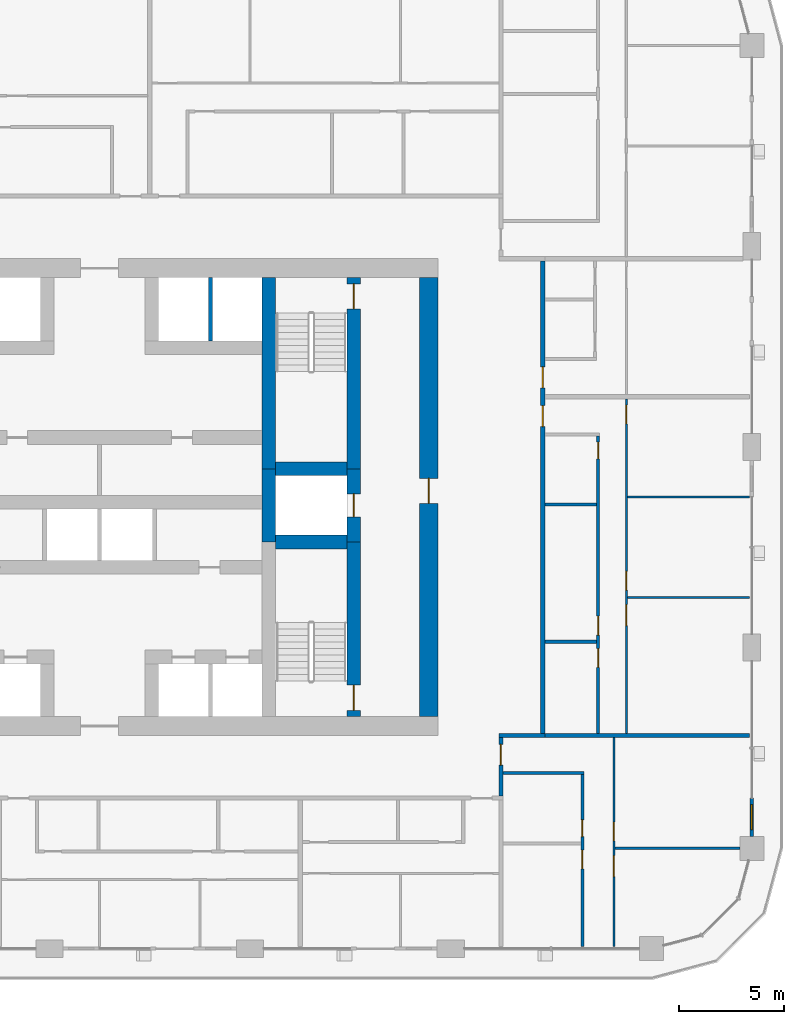
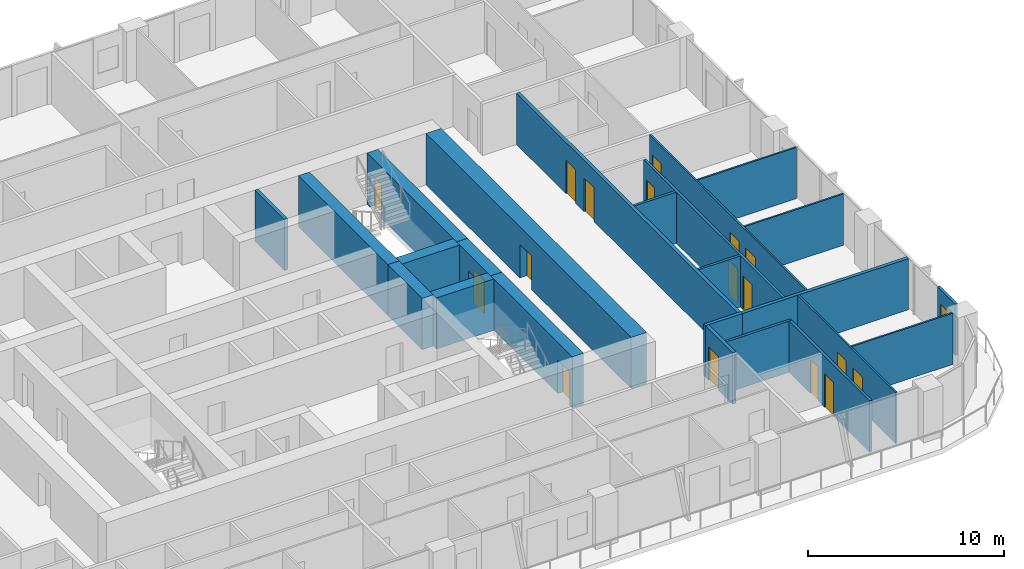
# One storey, part 12 of 21: 24 walls, 17 doors, 1 window, 18 openings.
"""IFC4 building model written with IfcOpenShell, lengths in metres."""

from ifc_helpers import new_model, si_unit, direction, frame, frame_2d, origin, place, context, subcontext, project, spatial, rectangle, extrude, material, layer, layer_set, type_object, element, fill, save


model = new_model("IFC4")

# Units and contexts
model_context = context("Model", 3, precision=1e-05, world=origin(), true_north=direction((0.0, 1.0)))
body_context = subcontext(model_context, "Body", "Model", "MODEL_VIEW")
ifc_project = project(units=[si_unit("LENGTHUNIT", "METRE"), si_unit("AREAUNIT", "SQUARE_METRE"), si_unit("VOLUMEUNIT", "CUBIC_METRE"), si_unit("PLANEANGLEUNIT", "RADIAN"), si_unit("MASSUNIT", "GRAM", prefix="KILO")], contexts=[model_context])

# Site, building, storey
site_placement = place(None, origin())
site = spatial("IfcSite", under=ifc_project, at=site_placement, CompositionType="ELEMENT")
building_placement = place(site_placement, origin())
building = spatial("IfcBuilding", under=site, at=building_placement, Name="Madar Terraces", CompositionType="ELEMENT")
storey_placement = place(building_placement, frame((0.0, 0.0, 106.699951171875)))
storey = spatial("IfcBuildingStorey", under=building, at=storey_placement, Name="L27", CompositionType="ELEMENT", Elevation=106.699951171875)

# Walls
ifc_material_1 = material(Name="Concrete C80/95", Category="concrete")
ifc_layer_1 = layer(ifc_material_1, 0.64990234375)
ifc_layer_set_1 = layer_set([ifc_layer_1], Name="Concrete C80/95 (CIW2 RC wall 650)")
wall_type_1 = type_object("IfcWallType", Name="CIW2 RC wall 650", PredefinedType="SHEAR", material=ifc_layer_set_1)
wall_1_placement = place(storey_placement, frame((39.300048828125, 24.25, 0.0), z_axis=(0.0, 0.0, 1.0), x_axis=(0.0, 1.0, 0.0)))
element("IfcWall", 1, at=wall_1_placement, inside=storey, type_object=wall_type_1, Name="CORE SHAFT WALL", PredefinedType="SHEAR", context=body_context, shape_type="SweptSolid", body=[
    extrude(rectangle(XDim=3.5, YDim=0.64990234375, at=frame_2d((1.75, 0.0))), origin(), (0.0, 0.0, 1.0), 3.199951171875),
])
wall_2_placement = place(storey_placement, frame((39.300048828125, 27.75, 0.0), z_axis=(0.0, 0.0, 1.0), x_axis=(0.0, 1.0, 0.0)))
element("IfcWall", 2, at=wall_2_placement, inside=storey, type_object=wall_type_1, Name="CORE SHAFT WALL", PredefinedType="SHEAR", context=body_context, shape_type="SweptSolid", body=[
    extrude(rectangle(XDim=9.14990234375, YDim=0.64990234375, at=frame_2d((4.574951171875, 0.0))), origin(), (0.0, 0.0, 1.0), 3.199951171875),
])

# Wall, opening, door
wall_3_placement = place(storey_placement, frame((43.35009765625, 15.89990234375, 0.0), z_axis=(0.0, 0.0, 1.0), x_axis=(0.0, 1.0, 0.0)))
wall_3 = element("IfcWall", 3, at=wall_3_placement, inside=storey, type_object=wall_type_1, Name="CORE SHAFT WALL", PredefinedType="SHEAR", context=body_context, shape_type="SweptSolid", body=[
    extrude(rectangle(XDim=8.35009765625, YDim=0.64990234375, at=frame_2d((4.175048828125, 0.0))), origin(), (0.0, 0.0, 1.0), 3.199951171875),
])
opening_1_placement = place(wall_3_placement, frame((0.300048828125, 0.0, 0.0)))
opening_1 = element("IfcOpeningElement", 4, at=opening_1_placement, cuts=wall_3, Name="Opening SD1", PredefinedType="OPENING", context=body_context, shape_type="SweptSolid", body=[
    extrude(rectangle(XDim=1.199951171875, YDim=2.10009765625, at=frame_2d((0.60009765625, 1.050048828125))), frame((0.0, 0.3349609375, 0.0), z_axis=(0.0, -1.0, 0.0), x_axis=(1.0, 0.0, 0.0)), (0.0, 0.0, 1.0), 0.669921875),
])
ifc_material_2 = material(Name="Steel door leaf", Category="steel")
door_type_1 = type_object("IfcDoorType", Name="Stair door 1200 x 2100", OperationType="NOTDEFINED", PredefinedType="DOOR", material=ifc_material_2)
door_1_placement = place(opening_1_placement, origin())
door_1 = element("IfcDoor", 5, at=door_1_placement, inside=storey, type_object=door_type_1, Name="STAIR DOOR", OperationType="SINGLE_SWING_RIGHT", OverallHeight=2.10009765625, OverallWidth=1.199951171875, PredefinedType="DOOR", context=body_context, shape_type="SweptSolid", body=[
    extrude(rectangle(XDim=1.199951171875, YDim=2.10009765625, at=frame_2d((0.60009765625, 1.050048828125))), frame((0.0, 0.02490234375, 0.0), z_axis=(0.0, -1.0, 0.0), x_axis=(1.0, 0.0, 0.0)), (0.0, 0.0, 1.0), 0.050048828125),
])
fill(opening_1, door_1)

wall_4_placement = place(storey_placement, frame((43.35009765625, 24.25, 0.0), z_axis=(0.0, 0.0, 1.0), x_axis=(0.0, 1.0, 0.0)))
wall_4 = element("IfcWall", 6, at=wall_4_placement, inside=storey, type_object=wall_type_1, Name="CORE SHAFT WALL", PredefinedType="SHEAR", context=body_context, shape_type="SweptSolid", body=[
    extrude(rectangle(XDim=3.5, YDim=0.64990234375, at=frame_2d((1.75, 0.0))), origin(), (0.0, 0.0, 1.0), 3.199951171875),
])
opening_2_placement = place(wall_4_placement, frame((1.199951171875, 0.0, 0.0)))
opening_2 = element("IfcOpeningElement", 7, at=opening_2_placement, cuts=wall_4, Name="Opening LD", PredefinedType="OPENING", context=body_context, shape_type="SweptSolid", body=[
    extrude(rectangle(XDim=1.10009765625, YDim=2.10009765625, at=frame_2d((0.550048828125, 1.050048828125))), frame((0.0, 0.3349609375, 0.0), z_axis=(0.0, -1.0, 0.0), x_axis=(1.0, 0.0, 0.0)), (0.0, 0.0, 1.0), 0.669921875),
])
ifc_material_3 = material(Name="Stainless steel panel", Category="steel")
door_type_2 = type_object("IfcDoorType", Name="Lift landing door 1100 x 2100", OperationType="DOUBLE_DOOR_SLIDING", PredefinedType="DOOR", material=ifc_material_3)
door_2_placement = place(opening_2_placement, origin())
door_2 = element("IfcDoor", 8, at=door_2_placement, inside=storey, type_object=door_type_2, Name="LIFT LANDING DOOR", OperationType="DOUBLE_DOOR_SLIDING", OverallHeight=2.10009765625, OverallWidth=1.10009765625, PredefinedType="DOOR", context=body_context, shape_type="SweptSolid", body=[
    extrude(rectangle(XDim=1.10009765625, YDim=2.10009765625, at=frame_2d((0.550048828125, 1.050048828125))), frame((0.0, 0.02490234375, 0.0), z_axis=(0.0, -1.0, 0.0), x_axis=(1.0, 0.0, 0.0)), (0.0, 0.0, 1.0), 0.050048828125),
])
fill(opening_2, door_2)

wall_5_placement = place(storey_placement, frame((43.35009765625, 27.75, 0.0), z_axis=(0.0, 0.0, 1.0), x_axis=(0.0, 1.0, 0.0)))
wall_5 = element("IfcWall", 9, at=wall_5_placement, inside=storey, type_object=wall_type_1, Name="CORE SHAFT WALL", PredefinedType="SHEAR", context=body_context, shape_type="SweptSolid", body=[
    extrude(rectangle(XDim=9.14990234375, YDim=0.64990234375, at=frame_2d((4.574951171875, 0.0))), origin(), (0.0, 0.0, 1.0), 3.199951171875),
])
opening_3_placement = place(wall_5_placement, frame((7.64990234375, 0.0, 0.0)))
opening_3 = element("IfcOpeningElement", 10, at=opening_3_placement, cuts=wall_5, Name="Opening SD1", PredefinedType="OPENING", context=body_context, shape_type="SweptSolid", body=[
    extrude(rectangle(XDim=1.199951171875, YDim=2.10009765625, at=frame_2d((0.60009765625, 1.050048828125))), frame((0.0, 0.3349609375, 0.0), z_axis=(0.0, -1.0, 0.0), x_axis=(1.0, 0.0, 0.0)), (0.0, 0.0, 1.0), 0.669921875),
])
door_3_placement = place(opening_3_placement, origin())
door_3 = element("IfcDoor", 11, at=door_3_placement, inside=storey, type_object=door_type_1, Name="STAIR DOOR", OperationType="SINGLE_SWING_LEFT", OverallHeight=2.10009765625, OverallWidth=1.199951171875, PredefinedType="DOOR", context=body_context, shape_type="SweptSolid", body=[
    extrude(rectangle(XDim=1.199951171875, YDim=2.10009765625, at=frame_2d((0.60009765625, 1.050048828125))), frame((0.0, 0.02490234375, 0.0), z_axis=(0.0, -1.0, 0.0), x_axis=(1.0, 0.0, 0.0)), (0.0, 0.0, 1.0), 0.050048828125),
])
fill(opening_3, door_3)

# Walls
for number, where, z_axis, x_axis, name in (
    (12, (39.625, 24.25, 0.0), (0.0, 0.0, 1.0), (1.0, 0.0, 0.0), "CORE SHAFT WALL"),
    (13, (39.625, 27.75, 0.0), (0.0, 0.0, 1.0), (1.0, 0.0, 0.0), "CORE SHAFT WALL"),
):
    element("IfcWall", number, at=place(storey_placement, frame(where, z_axis=z_axis, x_axis=x_axis)), inside=storey, type_object=wall_type_1, Name=name, PredefinedType="SHEAR", context=body_context, shape_type="SweptSolid", body=[
        extrude(rectangle(XDim=3.39990234375, YDim=0.64990234375, at=frame_2d((1.699951171875, 0.0))), origin(), (0.0, 0.0, 1.0), 3.199951171875),
    ])

# Wall, opening, door
ifc_material_4 = material(Name="Concrete C80/95", Category="concrete")
ifc_layer_2 = layer(ifc_material_4, 0.89990234375)
ifc_layer_set_2 = layer_set([ifc_layer_2], Name="Concrete C80/95 (CRW2 RC wall 900)")
wall_type_2 = type_object("IfcWallType", Name="CRW2 RC wall 900", PredefinedType="SHEAR", material=ifc_layer_set_2)
wall_6_placement = place(storey_placement, frame((46.949951171875, 15.89990234375, 0.0), z_axis=(0.0, 0.0, 1.0), x_axis=(0.0, 1.0, 0.0)))
wall_6 = element("IfcWall", 14, at=wall_6_placement, inside=storey, type_object=wall_type_2, Name="CORE OUTER WALL", PredefinedType="SHEAR", context=body_context, shape_type="SweptSolid", body=[
    extrude(rectangle(XDim=21.0, YDim=0.89990234375, at=frame_2d((10.5, 0.0))), origin(), (0.0, 0.0, 1.0), 3.199951171875),
])
opening_4_placement = place(wall_6_placement, frame((10.199951171875, 0.0, 0.0)))
opening_4 = element("IfcOpeningElement", 15, at=opening_4_placement, cuts=wall_6, Name="Opening SD1", PredefinedType="OPENING", context=body_context, shape_type="SweptSolid", body=[
    extrude(rectangle(XDim=1.199951171875, YDim=2.10009765625, at=frame_2d((0.60009765625, 1.050048828125))), frame((0.0, 0.4599609375, 0.0), z_axis=(0.0, -1.0, 0.0), x_axis=(1.0, 0.0, 0.0)), (0.0, 0.0, 1.0), 0.919921875),
])
door_4_placement = place(opening_4_placement, origin())
door_4 = element("IfcDoor", 16, at=door_4_placement, inside=storey, type_object=door_type_1, Name="STAIR DOOR", OperationType="SINGLE_SWING_LEFT", OverallHeight=2.10009765625, OverallWidth=1.199951171875, PredefinedType="DOOR", context=body_context, shape_type="SweptSolid", body=[
    extrude(rectangle(XDim=1.199951171875, YDim=2.10009765625, at=frame_2d((0.60009765625, 1.050048828125))), frame((0.0, 0.02490234375, 0.0), z_axis=(0.0, -1.0, 0.0), x_axis=(1.0, 0.0, 0.0)), (0.0, 0.0, 1.0), 0.050048828125),
])
fill(opening_4, door_4)

# Wall
ifc_material_5 = material(Name="Concrete C40/50", Category="concrete")
ifc_layer_3 = layer(ifc_material_5, 0.199951171875)
ifc_layer_set_3 = layer_set([ifc_layer_3], Name="Core shaft dividing wall 200 C40/50")
wall_type_3 = type_object("IfcWallType", Name="Core shaft dividing wall 200 C40/50", PredefinedType="SOLIDWALL", material=ifc_layer_set_3)
wall_7_placement = place(storey_placement, frame((36.5, 33.875, 0.0), z_axis=(0.0, 0.0, 1.0), x_axis=(0.0, 1.0, 0.0)))
element("IfcWall", 17, at=wall_7_placement, inside=storey, type_object=wall_type_3, Name="SHAFT DIVIDING WALL", PredefinedType="SOLIDWALL", context=body_context, shape_type="SweptSolid", body=[
    extrude(rectangle(XDim=3.02490234375, YDim=0.199951171875, at=frame_2d((1.512451171875, 0.0))), origin(), (0.0, 0.0, 1.0), 3.199951171875),
])

# Wall, opening, window
ifc_material_6 = material(Name="Aluminium composite panel, black, over insulated backing", Category="aluminium")
ifc_layer_4 = layer(ifc_material_6, 0.14990234375)
ifc_layer_set_4 = layer_set([ifc_layer_4], Name="Facade bay panel 150")
wall_type_4 = type_object("IfcWallType", Name="Facade bay panel 150", PredefinedType="SOLIDWALL", material=ifc_layer_set_4)
wall_8_placement = place(storey_placement, frame((62.39990234375, 10.175048828125, 0.0), z_axis=(0.0, 0.0, 1.0), x_axis=(0.0, 1.0, 0.0)))
wall_8 = element("IfcWall", 18, at=wall_8_placement, inside=storey, type_object=wall_type_4, Name="Facade bay panel", PredefinedType="SOLIDWALL", context=body_context, shape_type="SweptSolid", body=[
    extrude(rectangle(XDim=1.824951171875, YDim=0.14990234375, at=frame_2d((0.91259765625, 0.0))), origin(), (0.0, 0.0, 1.0), 3.199951171875),
])
opening_5_placement = place(wall_8_placement, frame((0.3125, 0.0, 0.89990234375)))
opening_5 = element("IfcOpeningElement", 19, at=opening_5_placement, cuts=wall_8, Name="Opening W1", PredefinedType="OPENING", context=body_context, shape_type="SweptSolid", body=[
    extrude(rectangle(XDim=1.199951171875, YDim=1.39990234375, at=frame_2d((0.60009765625, 0.699951171875))), frame((0.0, 0.0849609375, 0.0), z_axis=(0.0, -1.0, 0.0), x_axis=(1.0, 0.0, 0.0)), (0.0, 0.0, 1.0), 0.169921875),
])
ifc_material_7 = material(Name="Glass, clear, with black aluminium frame", Category="aluminium")
window_type = type_object("IfcWindowType", Name="Vent window 1200 x 1400", PartitioningType="SINGLE_PANEL", PredefinedType="WINDOW", material=ifc_material_7)
window_placement = place(opening_5_placement, origin())
window = element("IfcWindow", 20, at=window_placement, inside=storey, type_object=window_type, Name="Operable vent window", OverallHeight=1.39990234375, OverallWidth=1.199951171875, PartitioningType="SINGLE_PANEL", PredefinedType="WINDOW", context=body_context, shape_type="SweptSolid", body=[
    extrude(rectangle(XDim=1.199951171875, YDim=1.39990234375, at=frame_2d((0.60009765625, 0.699951171875))), frame((0.0, 0.030029296875, 0.0), z_axis=(0.0, -1.0, 0.0), x_axis=(1.0, 0.0, 0.0)), (0.0, 0.0, 1.0), 0.06005859375),
])
fill(opening_5, window)

# Wall
ifc_material_8 = material(Name="Gypsum board on steel studs", Category="steel")
ifc_layer_5 = layer(ifc_material_8, 0.10009765625)
ifc_layer_set_5 = layer_set([ifc_layer_5], Name="Flat partition 100")
wall_type_5 = type_object("IfcWallType", Name="Flat partition 100", PredefinedType="PARTITIONING", material=ifc_layer_set_5)
wall_9_placement = place(storey_placement, frame((55.85009765625, 9.60009765625, 0.0), z_axis=(0.0, 0.0, 1.0), x_axis=(1.0, 0.0, 0.0)))
element("IfcWall", 21, at=wall_9_placement, inside=storey, type_object=wall_type_5, Name="Flat partition 100", PredefinedType="PARTITIONING", context=body_context, shape_type="SweptSolid", body=[
    extrude(rectangle(XDim=5.974853515625, YDim=0.10009765625, at=frame_2d((2.9873046875, 0.0))), origin(), (0.0, 0.0, 1.0), 3.199951171875),
])

# Wall, openings, doors
wall_10_placement = place(storey_placement, frame((55.800048828125, 14.89990234375, 0.0), z_axis=(0.0, 0.0, 1.0), x_axis=(0.0, -1.0, 0.0)))
wall_10 = element("IfcWall", 22, at=wall_10_placement, inside=storey, type_object=wall_type_5, Name="Flat partition 100", PredefinedType="PARTITIONING", context=body_context, shape_type="SweptSolid", body=[
    extrude(rectangle(XDim=10.0, YDim=0.10009765625, at=frame_2d((5.0, 0.0))), origin(), (0.0, 0.0, 1.0), 3.199951171875),
])
opening_6_placement = place(wall_10_placement, frame((4.050048828125, 0.0, 0.0)))
opening_6 = element("IfcOpeningElement", 23, at=opening_6_placement, cuts=wall_10, Name="Opening D2", PredefinedType="OPENING", context=body_context, shape_type="SweptSolid", body=[
    extrude(rectangle(XDim=0.89990234375, YDim=2.10009765625, at=frame_2d((0.449951171875, 1.050048828125))), frame((0.0, 0.06005859375, 0.0), z_axis=(0.0, -1.0, 0.0), x_axis=(1.0, 0.0, 0.0)), (0.0, 0.0, 1.0), 0.1201171875),
])
opening_7_placement = place(wall_10_placement, frame((5.64990234375, 0.0, 0.0)))
opening_7 = element("IfcOpeningElement", 24, at=opening_7_placement, cuts=wall_10, Name="Opening D3", PredefinedType="OPENING", context=body_context, shape_type="SweptSolid", body=[
    extrude(rectangle(XDim=1.0, YDim=2.10009765625, at=frame_2d((0.5, 1.050048828125))), frame((0.0, 0.06005859375, 0.0), z_axis=(0.0, -1.0, 0.0), x_axis=(1.0, 0.0, 0.0)), (0.0, 0.0, 1.0), 0.1201171875),
])
ifc_material_9 = material(Name="Timber door leaf", Category="wood")
door_type_3 = type_object("IfcDoorType", Name="Flat living room door 1000", OperationType="NOTDEFINED", PredefinedType="DOOR", material=ifc_material_9)
door_5_placement = place(opening_7_placement, origin())
door_5 = element("IfcDoor", 25, at=door_5_placement, inside=storey, type_object=door_type_3, Name="Flat living room door 1000", OperationType="SINGLE_SWING_LEFT", OverallHeight=2.10009765625, OverallWidth=1.0, PredefinedType="DOOR", context=body_context, shape_type="SweptSolid", body=[
    extrude(rectangle(XDim=1.0, YDim=2.10009765625, at=frame_2d((0.5, 1.050048828125))), frame((0.0, 0.02490234375, 0.0), z_axis=(0.0, -1.0, 0.0), x_axis=(1.0, 0.0, 0.0)), (0.0, 0.0, 1.0), 0.050048828125),
])
fill(opening_7, door_5)
ifc_material_10 = material(Name="Timber door leaf", Category="wood")
door_type_4 = type_object("IfcDoorType", Name="Flat room door 900", OperationType="NOTDEFINED", PredefinedType="DOOR", material=ifc_material_10)
door_6_placement = place(opening_6_placement, origin())
door_6 = element("IfcDoor", 26, at=door_6_placement, inside=storey, type_object=door_type_4, Name="Flat room door 900", OperationType="SINGLE_SWING_RIGHT", OverallHeight=2.10009765625, OverallWidth=0.89990234375, PredefinedType="DOOR", context=body_context, shape_type="SweptSolid", body=[
    extrude(rectangle(XDim=0.89990234375, YDim=2.10009765625, at=frame_2d((0.449951171875, 1.050048828125))), frame((0.0, 0.02490234375, 0.0), z_axis=(0.0, -1.0, 0.0), x_axis=(1.0, 0.0, 0.0)), (0.0, 0.0, 1.0), 0.050048828125),
])
fill(opening_6, door_6)

# Walls
for number, where, z_axis, x_axis, name in (
    (27, (56.449951171875, 26.39990234375, 0.0), (0.0, 0.0, 1.0), (1.0, 0.0, 0.0), "Flat partition 100"),
    (28, (56.449951171875, 21.60009765625, 0.0), (0.0, 0.0, 1.0), (1.0, 0.0, 0.0), "Flat partition 100"),
):
    element("IfcWall", number, at=place(storey_placement, frame(where, z_axis=z_axis, x_axis=x_axis)), inside=storey, type_object=wall_type_5, Name=name, PredefinedType="PARTITIONING", context=body_context, shape_type="SweptSolid", body=[
        extrude(rectangle(XDim=5.85009765625, YDim=0.10009765625, at=frame_2d((2.925048828125, 0.0))), origin(), (0.0, 0.0, 1.0), 3.199951171875),
    ])

# Wall, openings, doors
wall_11_placement = place(storey_placement, frame((56.39990234375, 31.10009765625, 0.0), z_axis=(0.0, 0.0, 1.0), x_axis=(0.0, -1.0, 0.0)))
wall_11 = element("IfcWall", 29, at=wall_11_placement, inside=storey, type_object=wall_type_5, Name="Flat partition 100", PredefinedType="PARTITIONING", context=body_context, shape_type="SweptSolid", body=[
    extrude(rectangle(XDim=16.0, YDim=0.10009765625, at=frame_2d((8.0, 0.0))), origin(), (0.0, 0.0, 1.0), 3.199951171875),
])
opening_8_placement = place(wall_11_placement, frame((0.300048828125, 0.0, 0.0)))
opening_8 = element("IfcOpeningElement", 30, at=opening_8_placement, cuts=wall_11, Name="Opening D2", PredefinedType="OPENING", context=body_context, shape_type="SweptSolid", body=[
    extrude(rectangle(XDim=0.89990234375, YDim=2.10009765625, at=frame_2d((0.449951171875, 1.050048828125))), frame((0.0, 0.06005859375, 0.0), z_axis=(0.0, -1.0, 0.0), x_axis=(1.0, 0.0, 0.0)), (0.0, 0.0, 1.0), 0.1201171875),
])
opening_9_placement = place(wall_11_placement, frame((8.25, 0.0, 0.0)))
opening_9 = element("IfcOpeningElement", 31, at=opening_9_placement, cuts=wall_11, Name="Opening D2", PredefinedType="OPENING", context=body_context, shape_type="SweptSolid", body=[
    extrude(rectangle(XDim=0.89990234375, YDim=2.10009765625, at=frame_2d((0.449951171875, 1.050048828125))), frame((0.0, 0.06005859375, 0.0), z_axis=(0.0, -1.0, 0.0), x_axis=(1.0, 0.0, 0.0)), (0.0, 0.0, 1.0), 0.1201171875),
])
opening_10_placement = place(wall_11_placement, frame((9.85009765625, 0.0, 0.0)))
opening_10 = element("IfcOpeningElement", 32, at=opening_10_placement, cuts=wall_11, Name="Opening D3", PredefinedType="OPENING", context=body_context, shape_type="SweptSolid", body=[
    extrude(rectangle(XDim=1.0, YDim=2.10009765625, at=frame_2d((0.5, 1.050048828125))), frame((0.0, 0.06005859375, 0.0), z_axis=(0.0, -1.0, 0.0), x_axis=(1.0, 0.0, 0.0)), (0.0, 0.0, 1.0), 0.1201171875),
])
door_7_placement = place(opening_10_placement, origin())
door_7 = element("IfcDoor", 33, at=door_7_placement, inside=storey, type_object=door_type_3, Name="Flat living room door 1000", OperationType="SINGLE_SWING_LEFT", OverallHeight=2.10009765625, OverallWidth=1.0, PredefinedType="DOOR", context=body_context, shape_type="SweptSolid", body=[
    extrude(rectangle(XDim=1.0, YDim=2.10009765625, at=frame_2d((0.5, 1.050048828125))), frame((0.0, 0.02490234375, 0.0), z_axis=(0.0, -1.0, 0.0), x_axis=(1.0, 0.0, 0.0)), (0.0, 0.0, 1.0), 0.050048828125),
])
fill(opening_10, door_7)
door_8_placement = place(opening_8_placement, origin())
door_8 = element("IfcDoor", 34, at=door_8_placement, inside=storey, type_object=door_type_4, Name="Flat room door 900", OperationType="SINGLE_SWING_LEFT", OverallHeight=2.10009765625, OverallWidth=0.89990234375, PredefinedType="DOOR", context=body_context, shape_type="SweptSolid", body=[
    extrude(rectangle(XDim=0.89990234375, YDim=2.10009765625, at=frame_2d((0.449951171875, 1.050048828125))), frame((0.0, 0.02490234375, 0.0), z_axis=(0.0, -1.0, 0.0), x_axis=(1.0, 0.0, 0.0)), (0.0, 0.0, 1.0), 0.050048828125),
])
fill(opening_8, door_8)
door_9_placement = place(opening_9_placement, origin())
door_9 = element("IfcDoor", 35, at=door_9_placement, inside=storey, type_object=door_type_4, Name="Flat room door 900", OperationType="SINGLE_SWING_RIGHT", OverallHeight=2.10009765625, OverallWidth=0.89990234375, PredefinedType="DOOR", context=body_context, shape_type="SweptSolid", body=[
    extrude(rectangle(XDim=0.89990234375, YDim=2.10009765625, at=frame_2d((0.449951171875, 1.050048828125))), frame((0.0, 0.02490234375, 0.0), z_axis=(0.0, -1.0, 0.0), x_axis=(1.0, 0.0, 0.0)), (0.0, 0.0, 1.0), 0.050048828125),
])
fill(opening_9, door_9)

# Wall, opening, door
ifc_material_11 = material(Name="Lightweight blockwork", Category="masonry")
ifc_layer_6 = layer(ifc_material_11, 0.199951171875)
ifc_layer_set_6 = layer_set([ifc_layer_6], Name="Flat party and entrance wall 200")
wall_type_6 = type_object("IfcWallType", Name="Flat party and entrance wall 200", PredefinedType="PARTITIONING", material=ifc_layer_set_6)
wall_12_placement = place(storey_placement, frame((50.39990234375, 14.89990234375, 0.0), z_axis=(0.0, 0.0, 1.0), x_axis=(0.0, -1.0, 0.0)))
wall_12 = element("IfcWall", 36, at=wall_12_placement, inside=storey, type_object=wall_type_6, Name="Flat party and entrance wall 200", PredefinedType="PARTITIONING", context=body_context, shape_type="SweptSolid", body=[
    extrude(rectangle(XDim=2.7998046875, YDim=0.199951171875, at=frame_2d((1.39990234375, 0.0))), origin(), (0.0, 0.0, 1.0), 3.199951171875),
])
opening_11_placement = place(wall_12_placement, frame((0.324951171875, 0.0, 0.0)))
opening_11 = element("IfcOpeningElement", 37, at=opening_11_placement, cuts=wall_12, Name="Opening D1", PredefinedType="OPENING", context=body_context, shape_type="SweptSolid", body=[
    extrude(rectangle(XDim=1.0, YDim=2.10009765625, at=frame_2d((0.5, 1.050048828125))), frame((0.0, 0.10986328125, 0.0), z_axis=(0.0, -1.0, 0.0), x_axis=(1.0, 0.0, 0.0)), (0.0, 0.0, 1.0), 0.219970703125),
])
ifc_material_12 = material(Name="Timber fire door leaf", Category="wood")
door_type_5 = type_object("IfcDoorType", Name="Flat entrance door 1000 FD30S", OperationType="NOTDEFINED", PredefinedType="DOOR", material=ifc_material_12)
door_10_placement = place(opening_11_placement, origin())
door_10 = element("IfcDoor", 38, at=door_10_placement, inside=storey, type_object=door_type_5, Name="Flat entrance door 1000 FD30S", OperationType="SINGLE_SWING_LEFT", OverallHeight=2.10009765625, OverallWidth=1.0, PredefinedType="DOOR", context=body_context, shape_type="SweptSolid", body=[
    extrude(rectangle(XDim=1.0, YDim=2.10009765625, at=frame_2d((0.5, 1.050048828125))), frame((0.0, 0.02490234375, 0.0), z_axis=(0.0, -1.0, 0.0), x_axis=(1.0, 0.0, 0.0)), (0.0, 0.0, 1.0), 0.050048828125),
])
fill(opening_11, door_10)

# Wall
wall_13_placement = place(storey_placement, frame((50.300048828125, 15.0, 0.0), z_axis=(0.0, 0.0, 1.0), x_axis=(1.0, 0.0, 0.0)))
element("IfcWall", 39, at=wall_13_placement, inside=storey, type_object=wall_type_6, Name="Flat party and entrance wall 200", PredefinedType="PARTITIONING", context=body_context, shape_type="SweptSolid", body=[
    extrude(rectangle(XDim=2.199951171875, YDim=0.199951171875, at=frame_2d((1.10009765625, 0.0))), origin(), (0.0, 0.0, 1.0), 3.199951171875),
])

# Wall, openings, doors
wall_14_placement = place(storey_placement, frame((52.39990234375, 37.699951171875, 0.0), z_axis=(0.0, 0.0, 1.0), x_axis=(0.0, -1.0, 0.0)))
wall_14 = element("IfcWall", 40, at=wall_14_placement, inside=storey, type_object=wall_type_6, Name="Flat party and entrance wall 200", PredefinedType="PARTITIONING", context=body_context, shape_type="SweptSolid", body=[
    extrude(rectangle(XDim=22.599853515625, YDim=0.199951171875, at=frame_2d((11.2998046875, 0.0))), origin(), (0.0, 0.0, 1.0), 3.199951171875),
])
opening_12_placement = place(wall_14_placement, frame((6.925048828125, 0.0, 0.0)))
opening_12 = element("IfcOpeningElement", 41, at=opening_12_placement, cuts=wall_14, Name="Opening D1", PredefinedType="OPENING", context=body_context, shape_type="SweptSolid", body=[
    extrude(rectangle(XDim=1.0, YDim=2.10009765625, at=frame_2d((0.5, 1.050048828125))), frame((0.0, 0.10986328125, 0.0), z_axis=(0.0, -1.0, 0.0), x_axis=(1.0, 0.0, 0.0)), (0.0, 0.0, 1.0), 0.219970703125),
])
opening_13_placement = place(wall_14_placement, frame((5.074951171875, 0.0, 0.0)))
opening_13 = element("IfcOpeningElement", 42, at=opening_13_placement, cuts=wall_14, Name="Opening D1", PredefinedType="OPENING", context=body_context, shape_type="SweptSolid", body=[
    extrude(rectangle(XDim=1.0, YDim=2.10009765625, at=frame_2d((0.5, 1.050048828125))), frame((0.0, 0.10986328125, 0.0), z_axis=(0.0, -1.0, 0.0), x_axis=(1.0, 0.0, 0.0)), (0.0, 0.0, 1.0), 0.219970703125),
])
door_11_placement = place(opening_12_placement, origin())
door_11 = element("IfcDoor", 43, at=door_11_placement, inside=storey, type_object=door_type_5, Name="Flat entrance door 1000 FD30S", OperationType="SINGLE_SWING_LEFT", OverallHeight=2.10009765625, OverallWidth=1.0, PredefinedType="DOOR", context=body_context, shape_type="SweptSolid", body=[
    extrude(rectangle(XDim=1.0, YDim=2.10009765625, at=frame_2d((0.5, 1.050048828125))), frame((0.0, 0.02490234375, 0.0), z_axis=(0.0, -1.0, 0.0), x_axis=(1.0, 0.0, 0.0)), (0.0, 0.0, 1.0), 0.050048828125),
])
fill(opening_12, door_11)
door_12_placement = place(opening_13_placement, origin())
door_12 = element("IfcDoor", 44, at=door_12_placement, inside=storey, type_object=door_type_5, Name="Flat entrance door 1000 FD30S", OperationType="SINGLE_SWING_RIGHT", OverallHeight=2.10009765625, OverallWidth=1.0, PredefinedType="DOOR", context=body_context, shape_type="SweptSolid", body=[
    extrude(rectangle(XDim=1.0, YDim=2.10009765625, at=frame_2d((0.5, 1.050048828125))), frame((0.0, 0.02490234375, 0.0), z_axis=(0.0, -1.0, 0.0), x_axis=(1.0, 0.0, 0.0)), (0.0, 0.0, 1.0), 0.050048828125),
])
fill(opening_13, door_12)

# Walls
wall_15_placement = place(storey_placement, frame((52.5, 15.0, 0.0), z_axis=(0.0, 0.0, 1.0), x_axis=(1.0, 0.0, 0.0)))
element("IfcWall", 45, at=wall_15_placement, inside=storey, type_object=wall_type_6, Name="Flat party and entrance wall 200", PredefinedType="PARTITIONING", context=body_context, shape_type="SweptSolid", body=[
    extrude(rectangle(XDim=9.800048828125, YDim=0.199951171875, at=frame_2d((4.89990234375, 0.0))), origin(), (0.0, 0.0, 1.0), 3.199951171875),
])
ifc_material_13 = material(Name="Lightweight blockwork", Category="masonry")
ifc_layer_7 = layer(ifc_material_13, 0.14990234375)
ifc_layer_set_7 = layer_set([ifc_layer_7], Name="Flat wet-room partition 150")
wall_type_7 = type_object("IfcWallType", Name="Flat wet-room partition 150", PredefinedType="PARTITIONING", material=ifc_layer_set_7)
wall_16_placement = place(storey_placement, frame((50.5, 13.199951171875, 0.0), z_axis=(0.0, 0.0, 1.0), x_axis=(1.0, 0.0, 0.0)))
element("IfcWall", 46, at=wall_16_placement, inside=storey, type_object=wall_type_7, Name="Flat wet-room partition 150", PredefinedType="PARTITIONING", context=body_context, shape_type="SweptSolid", body=[
    extrude(rectangle(XDim=3.875, YDim=0.14990234375, at=frame_2d((1.9375, 0.0))), origin(), (0.0, 0.0, 1.0), 3.199951171875),
])

# Wall, openings, doors
wall_17_placement = place(storey_placement, frame((54.300048828125, 4.89990234375, 0.0), z_axis=(0.0, 0.0, 1.0), x_axis=(0.0, 1.0, 0.0)))
wall_17 = element("IfcWall", 47, at=wall_17_placement, inside=storey, type_object=wall_type_7, Name="Flat wet-room partition 150", PredefinedType="PARTITIONING", context=body_context, shape_type="SweptSolid", body=[
    extrude(rectangle(XDim=8.22509765625, YDim=0.14990234375, at=frame_2d((4.112548828125, 0.0))), origin(), (0.0, 0.0, 1.0), 3.199951171875),
])
opening_14_placement = place(wall_17_placement, frame((5.260009765625, 0.0, 0.0)))
opening_14 = element("IfcOpeningElement", 48, at=opening_14_placement, cuts=wall_17, Name="Opening D4", PredefinedType="OPENING", context=body_context, shape_type="SweptSolid", body=[
    extrude(rectangle(XDim=0.800048828125, YDim=2.10009765625, at=frame_2d((0.39990234375, 1.050048828125))), frame((0.0, 0.0849609375, 0.0), z_axis=(0.0, -1.0, 0.0), x_axis=(1.0, 0.0, 0.0)), (0.0, 0.0, 1.0), 0.169921875),
])
opening_15_placement = place(wall_17_placement, frame((3.7099609375, 0.0, 0.0)))
opening_15 = element("IfcOpeningElement", 49, at=opening_15_placement, cuts=wall_17, Name="Opening D2", PredefinedType="OPENING", context=body_context, shape_type="SweptSolid", body=[
    extrude(rectangle(XDim=0.89990234375, YDim=2.10009765625, at=frame_2d((0.449951171875, 1.050048828125))), frame((0.0, 0.0849609375, 0.0), z_axis=(0.0, -1.0, 0.0), x_axis=(1.0, 0.0, 0.0)), (0.0, 0.0, 1.0), 0.169921875),
])
ifc_material_14 = material(Name="Timber door leaf", Category="wood")
door_type_6 = type_object("IfcDoorType", Name="Flat bathroom door 800", OperationType="NOTDEFINED", PredefinedType="DOOR", material=ifc_material_14)
door_13_placement = place(opening_14_placement, origin())
door_13 = element("IfcDoor", 50, at=door_13_placement, inside=storey, type_object=door_type_6, Name="Flat bathroom door 800", OperationType="SINGLE_SWING_LEFT", OverallHeight=2.10009765625, OverallWidth=0.800048828125, PredefinedType="DOOR", context=body_context, shape_type="SweptSolid", body=[
    extrude(rectangle(XDim=0.800048828125, YDim=2.10009765625, at=frame_2d((0.39990234375, 1.050048828125))), frame((0.0, 0.02490234375, 0.0), z_axis=(0.0, -1.0, 0.0), x_axis=(1.0, 0.0, 0.0)), (0.0, 0.0, 1.0), 0.050048828125),
])
fill(opening_14, door_13)
door_14_placement = place(opening_15_placement, origin())
door_14 = element("IfcDoor", 51, at=door_14_placement, inside=storey, type_object=door_type_4, Name="Flat room door 900", OperationType="SINGLE_SWING_RIGHT", OverallHeight=2.10009765625, OverallWidth=0.89990234375, PredefinedType="DOOR", context=body_context, shape_type="SweptSolid", body=[
    extrude(rectangle(XDim=0.89990234375, YDim=2.10009765625, at=frame_2d((0.449951171875, 1.050048828125))), frame((0.0, 0.02490234375, 0.0), z_axis=(0.0, -1.0, 0.0), x_axis=(1.0, 0.0, 0.0)), (0.0, 0.0, 1.0), 0.050048828125),
])
fill(opening_15, door_14)

# Walls
for number, where, z_axis, x_axis, name in (
    (52, (52.5, 26.042236328125, 0.0), (0.0, 0.0, 1.0), (1.0, 0.0, 0.0), "Flat wet-room partition 150"),
    (53, (52.5, 19.476806640625, 0.0), (0.0, 0.0, 1.0), (1.0, 0.0, 0.0), "Flat wet-room partition 150"),
):
    element("IfcWall", number, at=place(storey_placement, frame(where, z_axis=z_axis, x_axis=x_axis)), inside=storey, type_object=wall_type_7, Name=name, PredefinedType="PARTITIONING", context=body_context, shape_type="SweptSolid", body=[
        extrude(rectangle(XDim=2.47509765625, YDim=0.14990234375, at=frame_2d((1.237548828125, 0.0))), origin(), (0.0, 0.0, 1.0), 3.199951171875),
    ])

# Wall, openings, doors
wall_18_placement = place(storey_placement, frame((55.050048828125, 15.10009765625, 0.0), z_axis=(0.0, 0.0, 1.0), x_axis=(0.0, 1.0, 0.0)))
wall_18 = element("IfcWall", 54, at=wall_18_placement, inside=storey, type_object=wall_type_7, Name="Flat wet-room partition 150", PredefinedType="PARTITIONING", context=body_context, shape_type="SweptSolid", body=[
    extrude(rectangle(XDim=14.224853515625, YDim=0.14990234375, at=frame_2d((7.1123046875, 0.0))), origin(), (0.0, 0.0, 1.0), 3.199951171875),
])
opening_16_placement = place(wall_18_placement, frame((13.125, 0.0, 0.0)))
opening_16 = element("IfcOpeningElement", 55, at=opening_16_placement, cuts=wall_18, Name="Opening D4", PredefinedType="OPENING", context=body_context, shape_type="SweptSolid", body=[
    extrude(rectangle(XDim=0.800048828125, YDim=2.10009765625, at=frame_2d((0.39990234375, 1.050048828125))), frame((0.0, 0.0849609375, 0.0), z_axis=(0.0, -1.0, 0.0), x_axis=(1.0, 0.0, 0.0)), (0.0, 0.0, 1.0), 0.169921875),
])
opening_17_placement = place(wall_18_placement, frame((4.701904296875, 0.0, 0.0)))
opening_17 = element("IfcOpeningElement", 56, at=opening_17_placement, cuts=wall_18, Name="Opening D2", PredefinedType="OPENING", context=body_context, shape_type="SweptSolid", body=[
    extrude(rectangle(XDim=0.89990234375, YDim=2.10009765625, at=frame_2d((0.449951171875, 1.050048828125))), frame((0.0, 0.0849609375, 0.0), z_axis=(0.0, -1.0, 0.0), x_axis=(1.0, 0.0, 0.0)), (0.0, 0.0, 1.0), 0.169921875),
])
opening_18_placement = place(wall_18_placement, frame((3.15185546875, 0.0, 0.0)))
opening_18 = element("IfcOpeningElement", 57, at=opening_18_placement, cuts=wall_18, Name="Opening D5", PredefinedType="OPENING", context=body_context, shape_type="SweptSolid", body=[
    extrude(rectangle(XDim=0.89990234375, YDim=2.10009765625, at=frame_2d((0.449951171875, 1.050048828125))), frame((0.0, 0.0849609375, 0.0), z_axis=(0.0, -1.0, 0.0), x_axis=(1.0, 0.0, 0.0)), (0.0, 0.0, 1.0), 0.169921875),
])
ifc_material_15 = material(Name="Timber door leaf", Category="wood")
door_type_7 = type_object("IfcDoorType", Name="Flat accessible bathroom door 900", OperationType="NOTDEFINED", PredefinedType="DOOR", material=ifc_material_15)
door_15_placement = place(opening_18_placement, origin())
door_15 = element("IfcDoor", 58, at=door_15_placement, inside=storey, type_object=door_type_7, Name="Flat accessible bathroom door 900", OperationType="SINGLE_SWING_RIGHT", OverallHeight=2.10009765625, OverallWidth=0.89990234375, PredefinedType="DOOR", context=body_context, shape_type="SweptSolid", body=[
    extrude(rectangle(XDim=0.89990234375, YDim=2.10009765625, at=frame_2d((0.449951171875, 1.050048828125))), frame((0.0, 0.02490234375, 0.0), z_axis=(0.0, -1.0, 0.0), x_axis=(1.0, 0.0, 0.0)), (0.0, 0.0, 1.0), 0.050048828125),
])
fill(opening_18, door_15)
door_16_placement = place(opening_16_placement, origin())
door_16 = element("IfcDoor", 59, at=door_16_placement, inside=storey, type_object=door_type_6, Name="Flat bathroom door 800", OperationType="SINGLE_SWING_RIGHT", OverallHeight=2.10009765625, OverallWidth=0.800048828125, PredefinedType="DOOR", context=body_context, shape_type="SweptSolid", body=[
    extrude(rectangle(XDim=0.800048828125, YDim=2.10009765625, at=frame_2d((0.39990234375, 1.050048828125))), frame((0.0, 0.02490234375, 0.0), z_axis=(0.0, -1.0, 0.0), x_axis=(1.0, 0.0, 0.0)), (0.0, 0.0, 1.0), 0.050048828125),
])
fill(opening_16, door_16)
door_17_placement = place(opening_17_placement, origin())
door_17 = element("IfcDoor", 60, at=door_17_placement, inside=storey, type_object=door_type_4, Name="Flat room door 900", OperationType="SINGLE_SWING_LEFT", OverallHeight=2.10009765625, OverallWidth=0.89990234375, PredefinedType="DOOR", context=body_context, shape_type="SweptSolid", body=[
    extrude(rectangle(XDim=0.89990234375, YDim=2.10009765625, at=frame_2d((0.449951171875, 1.050048828125))), frame((0.0, 0.02490234375, 0.0), z_axis=(0.0, -1.0, 0.0), x_axis=(1.0, 0.0, 0.0)), (0.0, 0.0, 1.0), 0.050048828125),
])
fill(opening_17, door_17)

save(model, "model.ifc")
